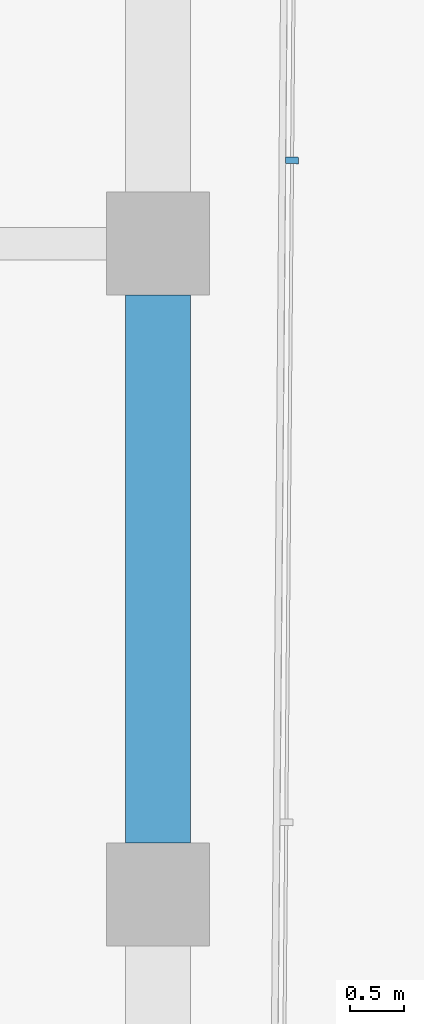
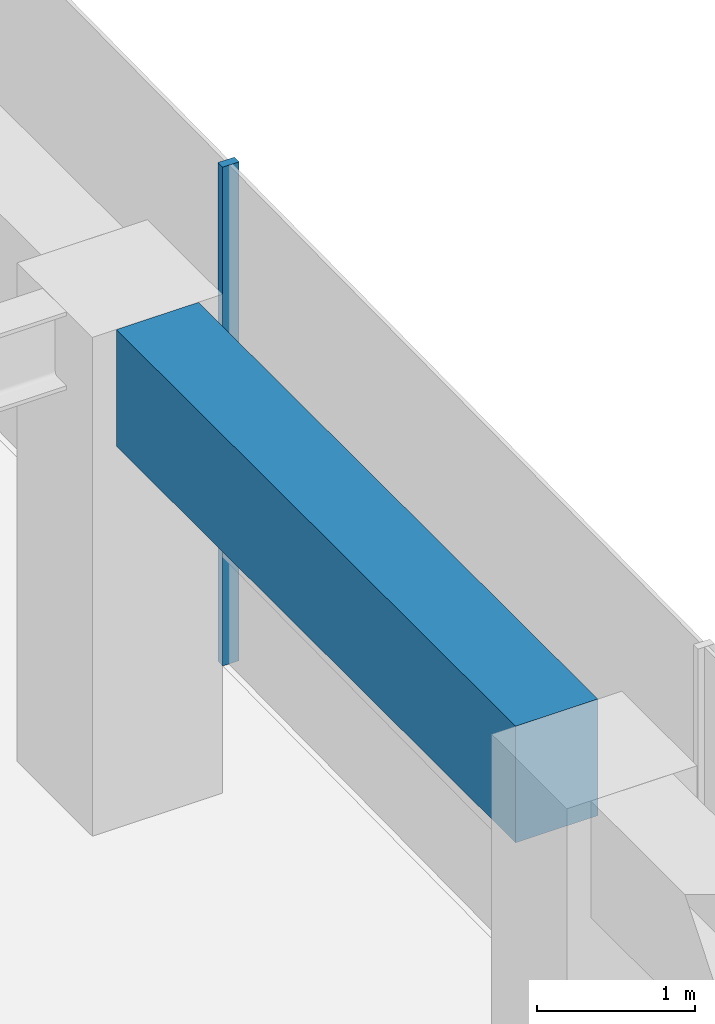
# One storey, part 17 of 29: 1 beam, 1 member, 1 element without a shape of its own.
"""IFC4 building model written with IfcOpenShell, lengths in metres."""

from ifc_helpers import new_model, si_unit, direction, frame, origin, origin_2d, place, context, subcontext, project, spatial, rectangle, extrude, material, layer, layer_set, material_profile, profile_set, type_object, element, aggregate, save


model = new_model("IFC4")

# Units and contexts
model_context = context("Model", 3, precision=1e-05, world=origin(), true_north=direction((0.0, 1.0)))
body_context = subcontext(model_context, "Body", "Model", "MODEL_VIEW")
ifc_project = project(units=[si_unit("LENGTHUNIT", "METRE"), si_unit("AREAUNIT", "SQUARE_METRE"), si_unit("VOLUMEUNIT", "CUBIC_METRE"), si_unit("PLANEANGLEUNIT", "RADIAN"), si_unit("MASSUNIT", "GRAM", prefix="KILO")], contexts=[model_context])

# Site, building, storey
site_placement = place(None, origin())
site = spatial("IfcSite", under=ifc_project, at=site_placement, CompositionType="ELEMENT")
building_placement = place(site_placement, origin())
building = spatial("IfcBuilding", under=site, at=building_placement, Name="Welwitschia Terrace Campus", CompositionType="ELEMENT")
storey_placement = place(building_placement, frame((0.0, 0.0, 50.0)))
storey = spatial("IfcBuildingStorey", under=building, at=storey_placement, Name="L11", CompositionType="ELEMENT", Elevation=50.0)

# Curtain wall, member
ifc_material_1 = material(Name="Bronze anodised aluminium", Category="aluminium")
ifc_layer = layer(ifc_material_1, 0.1201171875)
ifc_layer_set = layer_set([ifc_layer], Name="Bronze anodised aluminium")
curtain_wall_type = type_object("IfcCurtainWallType", Name="Curtain wall CW2 tower 6000", PredefinedType="NOTDEFINED", material=ifc_layer_set)
curtain_wall_placement = place(storey_placement, origin())
curtain_wall = element("IfcCurtainWall", 1, at=curtain_wall_placement, inside=storey, type_object=curtain_wall_type, Name="CW L11.8.0", PredefinedType="NOTDEFINED")
ifc_material_2 = material(Name="Bronze anodised aluminium", Category="aluminium")
ifc_material_profile_1 = material_profile(ifc_material_2, rectangle(XDim=0.1201171875, YDim=0.06005859375, at=origin_2d()))
ifc_profile_set_1 = profile_set([ifc_material_profile_1], Name="Bronze anodised aluminium")
member_type = type_object("IfcMemberType", Name="Mullion 60x120", PredefinedType="MULLION", material=ifc_profile_set_1)
member_placement = place(storey_placement, frame((25.236572265625, 44.76708984375, 0.0), z_axis=(0.0, 0.0, 1.0), x_axis=(-0.999961923064, 0.008726535498, 0.0)))
member = element("IfcMember", 2, at=member_placement, type_object=member_type, Name="Mullion L11.8.0.3", PredefinedType="MULLION", context=body_context, shape_type="SweptSolid", body=[
    extrude(rectangle(XDim=0.1201171875, YDim=0.06005859375, at=origin_2d()), origin(), (0.0, 0.0, 1.0), 3.85009765625),
])
aggregate(curtain_wall, [member])

# Beam
ifc_material_3 = material(Name="Concrete C60/75", Category="concrete")
ifc_material_profile_2 = material_profile(ifc_material_3, rectangle(XDim=0.60009765625, YDim=0.89990234375, at=origin_2d()))
ifc_profile_set_2 = profile_set([ifc_material_profile_2], Name="Concrete C60/75")
beam_type = type_object("IfcBeamType", Name="Ring spandrel 600x900", PredefinedType="SPANDREL", material=ifc_profile_set_2)
beam_placement = place(storey_placement, frame((24.0, 38.4755859375, 3.39990234375), z_axis=(0.0, 1.0, 0.0), x_axis=(-1.0, 0.0, 0.0)))
element("IfcBeam", 3, at=beam_placement, inside=storey, type_object=beam_type, Name="Spandrel SP2", PredefinedType="SPANDREL", context=body_context, shape_type="SweptSolid", body=[
    extrude(rectangle(XDim=0.60009765625, YDim=0.89990234375, at=origin_2d()), origin(), (0.0, 0.0, 1.0), 5.048828125),
])

save(model, "model.ifc")
